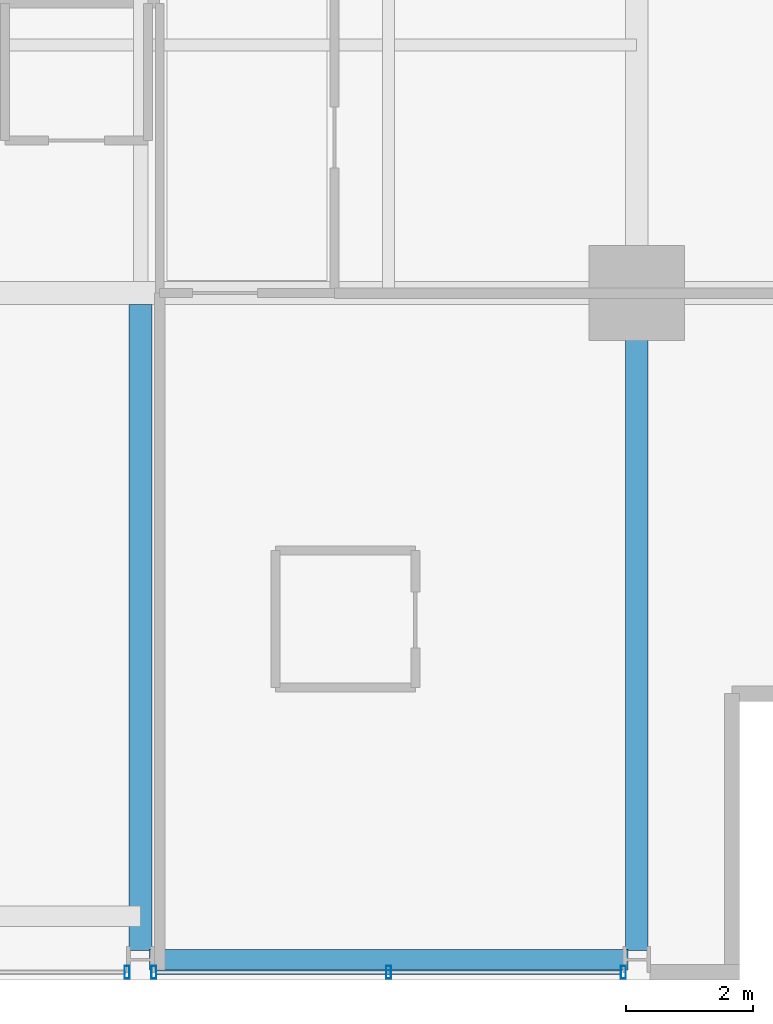
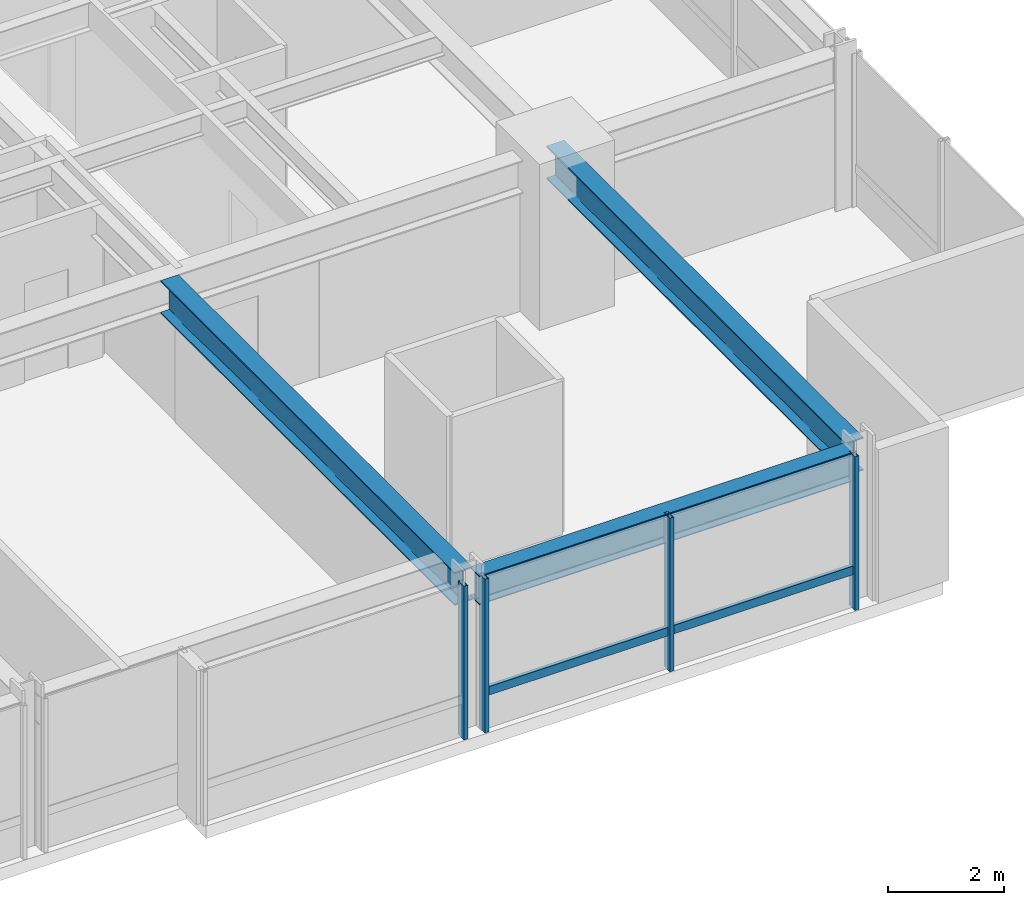
# One storey, part 11 of 34: 5 members, 3 beams, 2 elements without a shape of their own.
"""IFC4 building model written with IfcOpenShell, lengths in metres."""

import ifcopenshell
import ifcopenshell.guid

model = None  # the IFC model being written
_history = None  # IfcOwnerHistory: only IFC2X3 demands one
_inside = {}  # id of a spatial element -> (the spatial element, [elements in it])
_under = {}  # id of a project, library or spatial element -> (it, [spatial elements below it])
_declared = {}  # id of a project -> (the project, [libraries it declares])
_typed = {}  # id of a type object -> (the type object, [elements of that type])
_made_of = {}  # id of a material, layer set ... -> (it, [elements and type objects made of it])


def new_model(schema):
    """Start an empty IFC model of exactly this schema.

    Asked for "IFC4X3", IfcOpenShell would pick the latest addendum, in which some entities
    have other attributes; the version numbers below select the first issue.
    IFC2X3 requires an IfcOwnerHistory on every rooted entity: one is made here for all.
    """
    global model, _history
    if schema == "IFC4X3":
        model = ifcopenshell.file(schema_version=(4, 3, 0, 0))
    else:
        model = ifcopenshell.file(schema=schema)
    _inside.clear()
    _under.clear()
    _declared.clear()
    _typed.clear()
    _made_of.clear()
    _history = None
    if model.schema == "IFC2X3":
        org = make("IfcOrganization", Name="unknown")
        user = make(
            "IfcPersonAndOrganization",
            ThePerson=make("IfcPerson", FamilyName="unknown"),
            TheOrganization=org,
        )
        app = make(
            "IfcApplication",
            ApplicationDeveloper=org,
            Version="unknown",
            ApplicationFullName="unknown",
            ApplicationIdentifier="unknown",
        )
        _history = make(
            "IfcOwnerHistory",
            OwningUser=user,
            OwningApplication=app,
            ChangeAction="ADDED",
            CreationDate=0,
        )
    return model


def make(cls, **values):
    """One entity of the class cls with the attributes given. An attribute that is None is left unset."""
    return model.create_entity(
        cls, **{name: value for name, value in values.items() if value is not None}
    )


def rooted(cls, **values):
    """An entity with a GlobalId (a new one), such as an element, a storey or a relation."""
    return make(cls, GlobalId=ifcopenshell.guid.new(), OwnerHistory=_history, **values)


def si_unit(unit_type, name, prefix=None):
    """IfcSIUnit, for example si_unit("LENGTHUNIT", "METRE", prefix="MILLI")."""
    return make("IfcSIUnit", UnitType=unit_type, Prefix=prefix, Name=name)


def assignment(units):
    """IfcUnitAssignment: the units of a project."""
    return None if units is None else make("IfcUnitAssignment", Units=units)


def point(xyz):
    """IfcCartesianPoint."""
    return None if xyz is None else make("IfcCartesianPoint", Coordinates=xyz)


def direction(xyz):
    """IfcDirection."""
    return None if xyz is None else make("IfcDirection", DirectionRatios=xyz)


def frame(location, z_axis=None, x_axis=None):
    """IfcAxis2Placement3D, a coordinate frame: its origin and axes. An axis left out is left unset."""
    return make(
        "IfcAxis2Placement3D",
        Location=point(location),
        Axis=direction(z_axis),
        RefDirection=direction(x_axis),
    )


def frame_2d(location, x_axis=None):
    """IfcAxis2Placement2D, a coordinate frame in the plane: its origin and x axis."""
    return make(
        "IfcAxis2Placement2D", Location=point(location), RefDirection=direction(x_axis)
    )


def origin():
    """The frame at (0, 0, 0) with its axes left unset."""
    return frame((0.0, 0.0, 0.0))


def origin_2d():
    """The frame at (0, 0) in the plane with its x axis left unset."""
    return frame_2d((0.0, 0.0))


def place(relative_to, where):
    """IfcLocalPlacement: puts the frame where relative to a parent placement (None: the world)."""
    return make(
        "IfcLocalPlacement", PlacementRelTo=relative_to, RelativePlacement=where
    )


def context(
    kind, dimensions, precision=None, world=None, true_north=None, identifier=None
):
    """IfcGeometricRepresentationContext, for example the 3D "Model" context."""
    return make(
        "IfcGeometricRepresentationContext",
        ContextIdentifier=identifier,
        ContextType=kind,
        CoordinateSpaceDimension=dimensions,
        Precision=precision,
        WorldCoordinateSystem=world,
        TrueNorth=true_north,
    )


def subcontext(parent, identifier, kind, view, scale=None):
    """IfcGeometricRepresentationSubContext, for example "Body" below "Model"."""
    return make(
        "IfcGeometricRepresentationSubContext",
        ContextIdentifier=identifier,
        ContextType=kind,
        ParentContext=parent,
        TargetScale=scale,
        TargetView=view,
    )


def project(units=None, contexts=None):
    """IfcProject with its units and contexts."""
    return rooted(
        "IfcProject",
        Name="project",
        RepresentationContexts=contexts,
        UnitsInContext=assignment(units),
    )


def spatial(cls, under=None, at=None, **own):
    """A site, building, storey or space (cls), placed at a placement, below another one or the project."""
    s = rooted(cls, ObjectPlacement=at, **own)
    if under is not None:
        _under.setdefault(under.id(), (under, []))[1].append(s)
    return s


def profile(cls, at=None, kind="AREA", **sizes):
    """A parametric profile (cls). Its sizes go by their IFC names, for example OverallWidth=200.0."""
    return make(cls, ProfileType=kind, Position=at, **sizes)


def hollow_rectangle(**sizes):
    """IfcRectangleHollowProfileDef."""
    return profile("IfcRectangleHollowProfileDef", **sizes)


def i_section(**sizes):
    """IfcIShapeProfileDef."""
    return profile("IfcIShapeProfileDef", **sizes)


def extrude(swept, where, along, depth):
    """IfcExtrudedAreaSolid: the profile swept, set in the frame where, extruded along a direction by depth."""
    return make(
        "IfcExtrudedAreaSolid",
        SweptArea=swept,
        Position=where,
        ExtrudedDirection=direction(along),
        Depth=depth,
    )


def shape(context_of_items, identifier, shape_type, items):
    """IfcShapeRepresentation: the items that make up one representation, for example the "Body"."""
    return make(
        "IfcShapeRepresentation",
        ContextOfItems=context_of_items,
        RepresentationIdentifier=identifier,
        RepresentationType=shape_type,
        Items=items,
    )


def material(Name=None, Category=None):
    """IfcMaterial."""
    return make("IfcMaterial", Name=Name, Category=Category)


def layer(
    of_material, thickness, ventilated=None, Name=None, Category=None, Priority=None
):
    """IfcMaterialLayer: one layer of a wall or slab, of a material (None: an air gap)."""
    return make(
        "IfcMaterialLayer",
        Material=of_material,
        LayerThickness=thickness,
        IsVentilated=ventilated,
        Name=Name,
        Category=Category,
        Priority=Priority,
    )


def layer_set(layers, Name=None):
    """IfcMaterialLayerSet."""
    return make("IfcMaterialLayerSet", MaterialLayers=layers, LayerSetName=Name)


def material_profile(
    of_material, cross_section, Name=None, Category=None, Priority=None
):
    """IfcMaterialProfile: a cross section and its material."""
    return make(
        "IfcMaterialProfile",
        Name=Name,
        Material=of_material,
        Profile=cross_section,
        Priority=Priority,
        Category=Category,
    )


def profile_set(profiles, Name=None, composite=None):
    """IfcMaterialProfileSet."""
    return make(
        "IfcMaterialProfileSet",
        Name=Name,
        MaterialProfiles=profiles,
        CompositeProfile=composite,
    )


def made_of(thing, what):
    """Note that an element or type object is made of a material, layer set ...; save() writes the relation."""
    if what is not None:
        _made_of.setdefault(what.id(), (what, []))[1].append(thing)
    return thing


def type_object(cls, material=None, **own):
    """A type object (cls), such as IfcWallType, which elements share."""
    return made_of(rooted(cls, **own), material)


def element(
    cls,
    number,
    at=None,
    inside=None,
    cuts=None,
    type_object=None,
    material=None,
    context=None,
    identifier="Body",
    shape_type=None,
    held_by="IfcProductDefinitionShape",
    body=None,
    shapes=None,
    **own,
):
    """One element of the class cls, such as IfcWall. Its Tag is "e" and its number.

    at: its placement. inside: the storey or other place that contains it. cuts: it is an
    opening in that element (IfcRelVoidsElement). A single representation is given by context,
    identifier, shape_type and body (its items); several are given by shapes. held_by: the class
    of the entity that holds the representations. save() writes the other relations.
    """
    e = rooted(cls, Tag="e%d" % number, ObjectPlacement=at, **own)
    if body is not None:
        shapes = [shape(context, identifier, shape_type, body)]
    if shapes is not None:
        e.Representation = make(held_by, Representations=shapes)
    if inside is not None:
        _inside.setdefault(inside.id(), (inside, []))[1].append(e)
    if cuts is not None:
        rooted(
            "IfcRelVoidsElement", RelatingBuildingElement=cuts, RelatedOpeningElement=e
        )
    if type_object is not None:
        _typed.setdefault(type_object.id(), (type_object, []))[1].append(e)
    return made_of(e, material)


def aggregate(whole, parts):
    """IfcRelAggregates: a whole, such as a stair, and the parts it consists of."""
    return rooted("IfcRelAggregates", RelatingObject=whole, RelatedObjects=parts)


def save(model, path):
    """Write the relations noted so far, then the file.

    IfcRelAggregates (storeys below a building ...), IfcRelContainedInSpatialStructure (elements
    in a storey), IfcRelDefinesByType, IfcRelAssociatesMaterial and IfcRelDeclares: one each for
    every whole, place, type object, material and project.
    """
    for whole, parts in _under.values():
        aggregate(whole, parts)
    for where, things in _inside.values():
        rooted(
            "IfcRelContainedInSpatialStructure",
            RelatedElements=things,
            RelatingStructure=where,
        )
    for kind, things in _typed.values():
        rooted("IfcRelDefinesByType", RelatedObjects=things, RelatingType=kind)
    for what, things in _made_of.values():
        rooted("IfcRelAssociatesMaterial", RelatedObjects=things, RelatingMaterial=what)
    for by, libraries in _declared.values():
        rooted("IfcRelDeclares", RelatingContext=by, RelatedDefinitions=libraries)
    model.write(path)


model = new_model("IFC4")

# Units and contexts
model_context = context("Model", 3, precision=1e-05, world=origin(), true_north=direction((0.0, 1.0)))
body_context = subcontext(model_context, "Body", "Model", "MODEL_VIEW")
ifc_project = project(units=[si_unit("LENGTHUNIT", "METRE"), si_unit("AREAUNIT", "SQUARE_METRE"), si_unit("VOLUMEUNIT", "CUBIC_METRE"), si_unit("PLANEANGLEUNIT", "RADIAN"), si_unit("MASSUNIT", "GRAM", prefix="KILO")], contexts=[model_context])

# Site, building, storey
site_placement = place(None, origin())
site = spatial("IfcSite", under=ifc_project, at=site_placement, CompositionType="ELEMENT")
building_placement = place(site_placement, origin())
building = spatial("IfcBuilding", under=site, at=building_placement, Name="Drelvath Grand Hotel", CompositionType="ELEMENT")
storey_placement = place(building_placement, frame((0.0, 0.0, 126.800048828125)))
storey = spatial("IfcBuildingStorey", under=building, at=storey_placement, Name="L32", CompositionType="ELEMENT", Elevation=126.800048828125)

# Curtain wall, member
ifc_material_1 = material(Name="Champagne Bronze Anodised Aluminium Frame", Category="aluminium")
ifc_layer = layer(ifc_material_1, 0.199951171875)
ifc_layer_set = layer_set([ifc_layer], Name="Champagne Bronze Anodised Aluminium Frame")
curtain_wall_type = type_object("IfcCurtainWallType", Name="Stick Curtain Wall CW-03 Champagne Bronze Mid-Rise", PredefinedType="NOTDEFINED", material=ifc_layer_set)
curtain_wall_1_placement = place(storey_placement, origin())
curtain_wall_1 = element("IfcCurtainWall", 1, at=curtain_wall_1_placement, inside=storey, type_object=curtain_wall_type, Name="L32 CW-03 Curtain Wall CW03-L32-SE2", PredefinedType="NOTDEFINED")
ifc_material_profile_1 = material_profile(ifc_material_1, hollow_rectangle(XDim=0.074951171875, YDim=0.179931640625, WallThickness=0.0048828125, at=origin_2d()), Name="HSS180X75X5")
ifc_profile_set_1 = profile_set([ifc_material_profile_1], Name="Champagne Bronze Anodised Aluminium Frame")
member_type_1 = type_object("IfcMemberType", Name="Curtain Wall Horizontal Transom CW-03 HSS180X75X5", PredefinedType="USERDEFINED", material=ifc_profile_set_1)
member_1_placement = place(storey_placement, frame((15.95068359375, 0.1201171875, 0.81005859375), z_axis=(-1.0, 0.0, 0.0), x_axis=(0.0, -1.0, 0.0)))
member_1 = element("IfcMember", 2, at=member_1_placement, type_object=member_type_1, Name="CW03-L32-SE2 Sill Transom", ObjectType="TRANSOM", PredefinedType="USERDEFINED", context=body_context, shape_type="SweptSolid", body=[
    extrude(hollow_rectangle(XDim=0.074951171875, YDim=0.179931640625, WallThickness=0.0048828125, at=origin_2d()), origin(), (0.0, 0.0, 1.0), 7.30126953125),
])

curtain_wall_2_placement = place(storey_placement, origin())
curtain_wall_2 = element("IfcCurtainWall", 3, at=curtain_wall_2_placement, inside=storey, type_object=curtain_wall_type, Name="L32 CW-03 Curtain Wall CW03-L32-SE1", PredefinedType="NOTDEFINED")
ifc_material_profile_2 = material_profile(ifc_material_1, hollow_rectangle(XDim=0.080078125, YDim=0.199951171875, WallThickness=0.0048828125, at=origin_2d()), Name="HSS200X80X5")
ifc_profile_set_2 = profile_set([ifc_material_profile_2], Name="Champagne Bronze Anodised Aluminium Frame")
member_type_2 = type_object("IfcMemberType", Name="Curtain Wall Vertical Mullion CW-03 HSS200X80X5", PredefinedType="MULLION", material=ifc_profile_set_2)
member_2_placement = place(storey_placement, frame((8.190673828125, 0.1201171875, 0.0), z_axis=(0.0, 0.0, 1.0), x_axis=(1.0, 0.0, 0.0)))
member_2 = element("IfcMember", 4, at=member_2_placement, type_object=member_type_2, Name="CW03-L32-SE1 Mullion 1", PredefinedType="MULLION", context=body_context, shape_type="SweptSolid", body=[
    extrude(hollow_rectangle(XDim=0.080078125, YDim=0.199951171875, WallThickness=0.0048828125, at=origin_2d()), origin(), (0.0, 0.0, 1.0), 3.239990234375),
])
aggregate(curtain_wall_2, [member_2])

# Member
member_3_placement = place(storey_placement, frame((15.990478515625, 0.1201171875, 0.0), z_axis=(0.0, 0.0, 1.0), x_axis=(1.0, 0.0, 0.0)))
member_3 = element("IfcMember", 5, at=member_3_placement, type_object=member_type_2, Name="CW03-L32-SE2 Mullion 1", PredefinedType="MULLION", context=body_context, shape_type="SweptSolid", body=[
    extrude(hollow_rectangle(XDim=0.080078125, YDim=0.199951171875, WallThickness=0.0048828125, at=origin_2d()), origin(), (0.0, 0.0, 1.0), 3.239990234375),
])

member_4_placement = place(storey_placement, frame((12.300048828125, 0.1201171875, 0.0), z_axis=(0.0, 0.0, 1.0), x_axis=(1.0, 0.0, 0.0)))
member_4 = element("IfcMember", 6, at=member_4_placement, type_object=member_type_2, Name="CW03-L32-SE2 Mullion 2", PredefinedType="MULLION", context=body_context, shape_type="SweptSolid", body=[
    extrude(hollow_rectangle(XDim=0.080078125, YDim=0.199951171875, WallThickness=0.0048828125, at=origin_2d()), origin(), (0.0, 0.0, 1.0), 3.239990234375),
])

member_5_placement = place(storey_placement, frame((8.609375, 0.1201171875, 0.0), z_axis=(0.0, 0.0, 1.0), x_axis=(1.0, 0.0, 0.0)))
member_5 = element("IfcMember", 7, at=member_5_placement, type_object=member_type_2, Name="CW03-L32-SE2 Mullion 3", PredefinedType="MULLION", context=body_context, shape_type="SweptSolid", body=[
    extrude(hollow_rectangle(XDim=0.080078125, YDim=0.199951171875, WallThickness=0.0048828125, at=origin_2d()), origin(), (0.0, 0.0, 1.0), 3.239990234375),
])

aggregate(curtain_wall_1, [member_3, member_4, member_5, member_1])

# Beams
ifc_material_2 = material(Name="Steel ASTM A992 Gr 50", Category="steel")
ifc_material_profile_3 = material_profile(ifc_material_2, i_section(OverallWidth=0.323974609375, OverallDepth=0.611083984375, WebThickness=0.0126953125, FlangeThickness=0.01904296875, FilletRadius=0.02197265625, at=origin_2d()), Name="W24X104")
ifc_profile_set_3 = profile_set([ifc_material_profile_3], Name="Steel ASTM A992 Gr 50")
beam_type_1 = type_object("IfcBeamType", Name="Perimeter Spandrel Beam W24X104", PredefinedType="SPANDREL", material=ifc_profile_set_3)
beam_1_placement = place(storey_placement, frame((8.5400390625, 0.320068359375, 2.934326171875), z_axis=(1.0, 0.0, 0.0), x_axis=(0.0, 1.0, 0.0)))
element("IfcBeam", 8, at=beam_1_placement, inside=storey, type_object=beam_type_1, Name="L32 Spandrel South E", PredefinedType="SPANDREL", context=body_context, shape_type="SweptSolid", body=[
    extrude(i_section(OverallWidth=0.323974609375, OverallDepth=0.611083984375, WebThickness=0.0126953125, FlangeThickness=0.01904296875, FilletRadius=0.02197265625, at=origin_2d()), origin(), (0.0, 0.0, 1.0), 7.52001953125),
])
ifc_material_profile_4 = material_profile(ifc_material_2, i_section(OverallWidth=0.354736328125, OverallDepth=0.695556640625, WebThickness=0.015380859375, FlangeThickness=0.025146484375, FilletRadius=0.02392578125, at=origin_2d()), Name="W27X146")
ifc_profile_set_4 = profile_set([ifc_material_profile_4], Name="Steel ASTM A992 Gr 50")
beam_type_2 = type_object("IfcBeamType", Name="Primary Floor Girder W27X146", PredefinedType="BEAM", material=ifc_profile_set_4)
beam_2_placement = place(storey_placement, frame((16.199951171875, 0.4599609375, 2.892333984375), z_axis=(0.0, 1.0, 0.0), x_axis=(-1.0, 0.0, 0.0)))
element("IfcBeam", 9, at=beam_2_placement, inside=storey, type_object=beam_type_2, Name="L32 South Grid Girder 7", PredefinedType="BEAM", context=body_context, shape_type="SweptSolid", body=[
    extrude(i_section(OverallWidth=0.354736328125, OverallDepth=0.695556640625, WebThickness=0.015380859375, FlangeThickness=0.025146484375, FilletRadius=0.02392578125, at=origin_2d()), origin(), (0.0, 0.0, 1.0), 10.340087890625),
])
beam_3_placement = place(storey_placement, frame((8.39990234375, 0.4599609375, 2.892333984375), z_axis=(0.0, 1.0, 0.0), x_axis=(-1.0, 0.0, 0.0)))
element("IfcBeam", 10, at=beam_3_placement, inside=storey, type_object=beam_type_2, Name="L32 South Wing Girder 6", PredefinedType="BEAM", context=body_context, shape_type="SweptSolid", body=[
    extrude(i_section(OverallWidth=0.354736328125, OverallDepth=0.695556640625, WebThickness=0.015380859375, FlangeThickness=0.025146484375, FilletRadius=0.02392578125, at=origin_2d()), origin(), (0.0, 0.0, 1.0), 10.16259765625),
])

save(model, "model.ifc")
